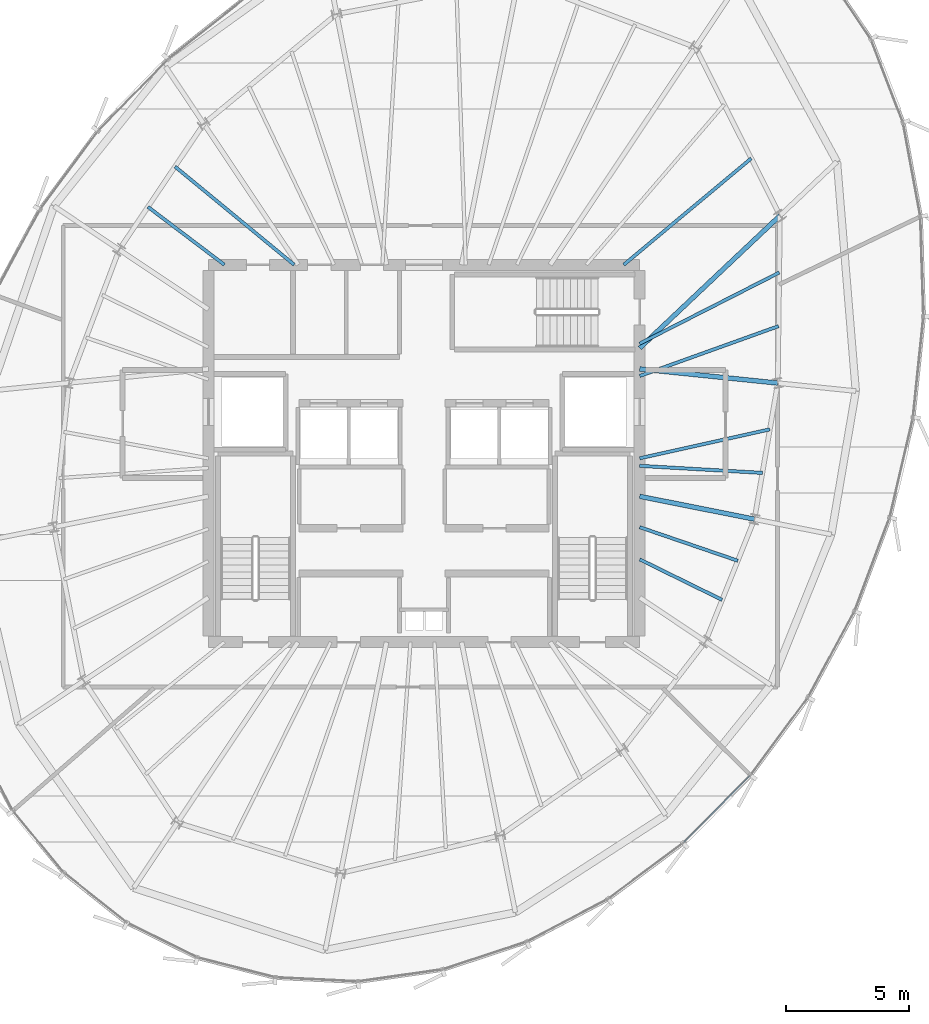
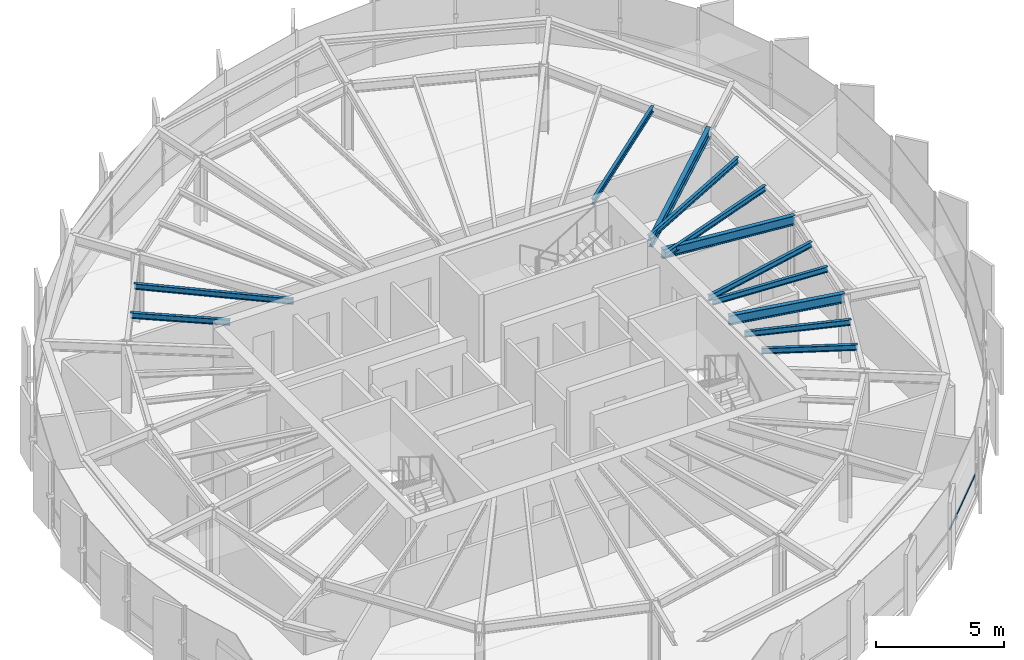
# One storey, part 12 of 33: 12 beams, 1 member, 1 element without a shape of its own.
"""IFC4 building model written with IfcOpenShell, lengths in metres."""

import ifcopenshell
import ifcopenshell.guid

model = None  # the IFC model being written
_history = None  # IfcOwnerHistory: only IFC2X3 demands one
_inside = {}  # id of a spatial element -> (the spatial element, [elements in it])
_under = {}  # id of a project, library or spatial element -> (it, [spatial elements below it])
_declared = {}  # id of a project -> (the project, [libraries it declares])
_typed = {}  # id of a type object -> (the type object, [elements of that type])
_made_of = {}  # id of a material, layer set ... -> (it, [elements and type objects made of it])


def new_model(schema):
    """Start an empty IFC model of exactly this schema.

    Asked for "IFC4X3", IfcOpenShell would pick the latest addendum, in which some entities
    have other attributes; the version numbers below select the first issue.
    IFC2X3 requires an IfcOwnerHistory on every rooted entity: one is made here for all.
    """
    global model, _history
    if schema == "IFC4X3":
        model = ifcopenshell.file(schema_version=(4, 3, 0, 0))
    else:
        model = ifcopenshell.file(schema=schema)
    _inside.clear()
    _under.clear()
    _declared.clear()
    _typed.clear()
    _made_of.clear()
    _history = None
    if model.schema == "IFC2X3":
        org = make("IfcOrganization", Name="unknown")
        user = make(
            "IfcPersonAndOrganization",
            ThePerson=make("IfcPerson", FamilyName="unknown"),
            TheOrganization=org,
        )
        app = make(
            "IfcApplication",
            ApplicationDeveloper=org,
            Version="unknown",
            ApplicationFullName="unknown",
            ApplicationIdentifier="unknown",
        )
        _history = make(
            "IfcOwnerHistory",
            OwningUser=user,
            OwningApplication=app,
            ChangeAction="ADDED",
            CreationDate=0,
        )
    return model


def make(cls, **values):
    """One entity of the class cls with the attributes given. An attribute that is None is left unset."""
    return model.create_entity(
        cls, **{name: value for name, value in values.items() if value is not None}
    )


def rooted(cls, **values):
    """An entity with a GlobalId (a new one), such as an element, a storey or a relation."""
    return make(cls, GlobalId=ifcopenshell.guid.new(), OwnerHistory=_history, **values)


def si_unit(unit_type, name, prefix=None):
    """IfcSIUnit, for example si_unit("LENGTHUNIT", "METRE", prefix="MILLI")."""
    return make("IfcSIUnit", UnitType=unit_type, Prefix=prefix, Name=name)


def assignment(units):
    """IfcUnitAssignment: the units of a project."""
    return None if units is None else make("IfcUnitAssignment", Units=units)


def point(xyz):
    """IfcCartesianPoint."""
    return None if xyz is None else make("IfcCartesianPoint", Coordinates=xyz)


def direction(xyz):
    """IfcDirection."""
    return None if xyz is None else make("IfcDirection", DirectionRatios=xyz)


def frame(location, z_axis=None, x_axis=None):
    """IfcAxis2Placement3D, a coordinate frame: its origin and axes. An axis left out is left unset."""
    return make(
        "IfcAxis2Placement3D",
        Location=point(location),
        Axis=direction(z_axis),
        RefDirection=direction(x_axis),
    )


def frame_2d(location, x_axis=None):
    """IfcAxis2Placement2D, a coordinate frame in the plane: its origin and x axis."""
    return make(
        "IfcAxis2Placement2D", Location=point(location), RefDirection=direction(x_axis)
    )


def origin():
    """The frame at (0, 0, 0) with its axes left unset."""
    return frame((0.0, 0.0, 0.0))


def origin_2d():
    """The frame at (0, 0) in the plane with its x axis left unset."""
    return frame_2d((0.0, 0.0))


def place(relative_to, where):
    """IfcLocalPlacement: puts the frame where relative to a parent placement (None: the world)."""
    return make(
        "IfcLocalPlacement", PlacementRelTo=relative_to, RelativePlacement=where
    )


def context(
    kind, dimensions, precision=None, world=None, true_north=None, identifier=None
):
    """IfcGeometricRepresentationContext, for example the 3D "Model" context."""
    return make(
        "IfcGeometricRepresentationContext",
        ContextIdentifier=identifier,
        ContextType=kind,
        CoordinateSpaceDimension=dimensions,
        Precision=precision,
        WorldCoordinateSystem=world,
        TrueNorth=true_north,
    )


def subcontext(parent, identifier, kind, view, scale=None):
    """IfcGeometricRepresentationSubContext, for example "Body" below "Model"."""
    return make(
        "IfcGeometricRepresentationSubContext",
        ContextIdentifier=identifier,
        ContextType=kind,
        ParentContext=parent,
        TargetScale=scale,
        TargetView=view,
    )


def project(units=None, contexts=None):
    """IfcProject with its units and contexts."""
    return rooted(
        "IfcProject",
        Name="project",
        RepresentationContexts=contexts,
        UnitsInContext=assignment(units),
    )


def spatial(cls, under=None, at=None, **own):
    """A site, building, storey or space (cls), placed at a placement, below another one or the project."""
    s = rooted(cls, ObjectPlacement=at, **own)
    if under is not None:
        _under.setdefault(under.id(), (under, []))[1].append(s)
    return s


def profile(cls, at=None, kind="AREA", **sizes):
    """A parametric profile (cls). Its sizes go by their IFC names, for example OverallWidth=200.0."""
    return make(cls, ProfileType=kind, Position=at, **sizes)


def hollow_rectangle(**sizes):
    """IfcRectangleHollowProfileDef."""
    return profile("IfcRectangleHollowProfileDef", **sizes)


def i_section(**sizes):
    """IfcIShapeProfileDef."""
    return profile("IfcIShapeProfileDef", **sizes)


def extrude(swept, where, along, depth):
    """IfcExtrudedAreaSolid: the profile swept, set in the frame where, extruded along a direction by depth."""
    return make(
        "IfcExtrudedAreaSolid",
        SweptArea=swept,
        Position=where,
        ExtrudedDirection=direction(along),
        Depth=depth,
    )


def shape(context_of_items, identifier, shape_type, items):
    """IfcShapeRepresentation: the items that make up one representation, for example the "Body"."""
    return make(
        "IfcShapeRepresentation",
        ContextOfItems=context_of_items,
        RepresentationIdentifier=identifier,
        RepresentationType=shape_type,
        Items=items,
    )


def source(mapping_origin, context_of_items, identifier, shape_type, items):
    """IfcRepresentationMap: a shape defined once, which mapped items show again and again."""
    return make(
        "IfcRepresentationMap",
        MappingOrigin=mapping_origin,
        MappedRepresentation=shape(context_of_items, identifier, shape_type, items),
    )


def transform(
    local_origin,
    x_axis=None,
    y_axis=None,
    z_axis=None,
    scale=None,
    scale2=None,
    scale3=None,
    uniform=True,
):
    """IfcCartesianTransformationOperator3D, or its non-uniform kind. x_axis, y_axis, z_axis: its Axis1, 2, 3."""
    if uniform:
        return make(
            "IfcCartesianTransformationOperator3D",
            Axis1=direction(x_axis),
            Axis2=direction(y_axis),
            LocalOrigin=point(local_origin),
            Scale=scale,
            Axis3=direction(z_axis),
        )
    return make(
        "IfcCartesianTransformationOperator3DnonUniform",
        Axis1=direction(x_axis),
        Axis2=direction(y_axis),
        LocalOrigin=point(local_origin),
        Scale=scale,
        Axis3=direction(z_axis),
        Scale2=scale2,
        Scale3=scale3,
    )


def mapped(mapping_source, mapping_target):
    """IfcMappedItem: shows the shape of a source again, moved by a transform."""
    return make(
        "IfcMappedItem", MappingSource=mapping_source, MappingTarget=mapping_target
    )


def material(Name=None, Category=None):
    """IfcMaterial."""
    return make("IfcMaterial", Name=Name, Category=Category)


def layer(
    of_material, thickness, ventilated=None, Name=None, Category=None, Priority=None
):
    """IfcMaterialLayer: one layer of a wall or slab, of a material (None: an air gap)."""
    return make(
        "IfcMaterialLayer",
        Material=of_material,
        LayerThickness=thickness,
        IsVentilated=ventilated,
        Name=Name,
        Category=Category,
        Priority=Priority,
    )


def layer_set(layers, Name=None):
    """IfcMaterialLayerSet."""
    return make("IfcMaterialLayerSet", MaterialLayers=layers, LayerSetName=Name)


def material_profile(
    of_material, cross_section, Name=None, Category=None, Priority=None
):
    """IfcMaterialProfile: a cross section and its material."""
    return make(
        "IfcMaterialProfile",
        Name=Name,
        Material=of_material,
        Profile=cross_section,
        Priority=Priority,
        Category=Category,
    )


def profile_set(profiles, Name=None, composite=None):
    """IfcMaterialProfileSet."""
    return make(
        "IfcMaterialProfileSet",
        Name=Name,
        MaterialProfiles=profiles,
        CompositeProfile=composite,
    )


def made_of(thing, what):
    """Note that an element or type object is made of a material, layer set ...; save() writes the relation."""
    if what is not None:
        _made_of.setdefault(what.id(), (what, []))[1].append(thing)
    return thing


def type_object(cls, material=None, **own):
    """A type object (cls), such as IfcWallType, which elements share."""
    return made_of(rooted(cls, **own), material)


def element(
    cls,
    number,
    at=None,
    inside=None,
    cuts=None,
    type_object=None,
    material=None,
    context=None,
    identifier="Body",
    shape_type=None,
    held_by="IfcProductDefinitionShape",
    body=None,
    shapes=None,
    **own,
):
    """One element of the class cls, such as IfcWall. Its Tag is "e" and its number.

    at: its placement. inside: the storey or other place that contains it. cuts: it is an
    opening in that element (IfcRelVoidsElement). A single representation is given by context,
    identifier, shape_type and body (its items); several are given by shapes. held_by: the class
    of the entity that holds the representations. save() writes the other relations.
    """
    e = rooted(cls, Tag="e%d" % number, ObjectPlacement=at, **own)
    if body is not None:
        shapes = [shape(context, identifier, shape_type, body)]
    if shapes is not None:
        e.Representation = make(held_by, Representations=shapes)
    if inside is not None:
        _inside.setdefault(inside.id(), (inside, []))[1].append(e)
    if cuts is not None:
        rooted(
            "IfcRelVoidsElement", RelatingBuildingElement=cuts, RelatedOpeningElement=e
        )
    if type_object is not None:
        _typed.setdefault(type_object.id(), (type_object, []))[1].append(e)
    return made_of(e, material)


def aggregate(whole, parts):
    """IfcRelAggregates: a whole, such as a stair, and the parts it consists of."""
    return rooted("IfcRelAggregates", RelatingObject=whole, RelatedObjects=parts)


def save(model, path):
    """Write the relations noted so far, then the file.

    IfcRelAggregates (storeys below a building ...), IfcRelContainedInSpatialStructure (elements
    in a storey), IfcRelDefinesByType, IfcRelAssociatesMaterial and IfcRelDeclares: one each for
    every whole, place, type object, material and project.
    """
    for whole, parts in _under.values():
        aggregate(whole, parts)
    for where, things in _inside.values():
        rooted(
            "IfcRelContainedInSpatialStructure",
            RelatedElements=things,
            RelatingStructure=where,
        )
    for kind, things in _typed.values():
        rooted("IfcRelDefinesByType", RelatedObjects=things, RelatingType=kind)
    for what, things in _made_of.values():
        rooted("IfcRelAssociatesMaterial", RelatedObjects=things, RelatingMaterial=what)
    for by, libraries in _declared.values():
        rooted("IfcRelDeclares", RelatingContext=by, RelatedDefinitions=libraries)
    model.write(path)


model = new_model("IFC4")

# Units and contexts
model_context = context("Model", 3, precision=1e-05, world=origin(), true_north=direction((0.0, 1.0)))
body_context = subcontext(model_context, "Body", "Model", "MODEL_VIEW")
ifc_project = project(units=[si_unit("LENGTHUNIT", "METRE"), si_unit("AREAUNIT", "SQUARE_METRE"), si_unit("VOLUMEUNIT", "CUBIC_METRE"), si_unit("PLANEANGLEUNIT", "RADIAN"), si_unit("MASSUNIT", "GRAM", prefix="KILO"), si_unit("THERMODYNAMICTEMPERATUREUNIT", "KELVIN")], contexts=[model_context])

# Site, building, storey
site_placement = place(None, origin())
site = spatial("IfcSite", under=ifc_project, at=site_placement, CompositionType="ELEMENT")
building_placement = place(site_placement, origin())
building = spatial("IfcBuilding", under=site, at=building_placement, Name="Kethvar Cultural Tower", CompositionType="ELEMENT")
storey_placement = place(building_placement, frame((0.0, 0.0, 266.35009765625)))
storey = spatial("IfcBuildingStorey", under=building, at=storey_placement, Name="L70", CompositionType="ELEMENT", Elevation=266.35009765625)

# Beams
ifc_material_1 = material(Name="Steel S355J2", Category="steel")
ifc_material_profile_1 = material_profile(ifc_material_1, i_section(OverallWidth=0.18994140625, OverallDepth=0.449951171875, WebThickness=0.009521484375, FlangeThickness=0.0146484375, FilletRadius=0.02099609375, at=origin_2d()), Name="Steel S355J2 — IPE450")
ifc_profile_set_1 = profile_set([ifc_material_profile_1], Name="Steel S355J2 — IPE450")
beam_type_1 = type_object("IfcBeamType", Name="BM-IPE450", PredefinedType="BEAM", material=ifc_profile_set_1)
shared_shape_1 = source(origin(), body_context, "Body", "SweptSolid", [
    extrude(i_section(OverallWidth=0.18994140625, OverallDepth=0.449951171875, WebThickness=0.009521484375, FlangeThickness=0.0146484375, FilletRadius=0.02099609375, at=origin_2d()), origin(), (0.0, 0.0, 1.0), 5.66650390625),
])
beam_1_placement = place(storey_placement, frame((55.60009765625, 31.25, 2.98291015625), z_axis=(0.994777513459, -0.102067128476, 0.0), x_axis=(0.102067128476, 0.994777513459, 0.0)))
element("IfcBeam", 1, at=beam_1_placement, inside=storey, type_object=beam_type_1, Name="L70 Primary Radial Beam RB-01", PredefinedType="BEAM", context=body_context, shape_type="MappedRepresentation", body=[
    mapped(shared_shape_1, transform((0.0, 0.0, 0.0), scale=1.0)),
])
shared_shape_2 = source(origin(), body_context, "Body", "SweptSolid", [
    extrude(i_section(OverallWidth=0.18994140625, OverallDepth=0.449951171875, WebThickness=0.009521484375, FlangeThickness=0.0146484375, FilletRadius=0.02099609375, at=origin_2d()), origin(), (0.0, 0.0, 1.0), 7.874267578125),
])
beam_2_placement = place(storey_placement, frame((55.60009765625, 32.10009765625, 2.98291015625), z_axis=(0.727123202456, 0.686506990823, 0.0), x_axis=(-0.686506990823, 0.727123202456, 0.0)))
element("IfcBeam", 2, at=beam_2_placement, inside=storey, type_object=beam_type_1, Name="L70 Primary Radial Beam RB-02", PredefinedType="BEAM", context=body_context, shape_type="MappedRepresentation", body=[
    mapped(shared_shape_2, transform((0.0, 0.0, 0.0), scale=1.0)),
])
shared_shape_3 = source(origin(), body_context, "Body", "SweptSolid", [
    extrude(i_section(OverallWidth=0.18994140625, OverallDepth=0.449951171875, WebThickness=0.009521484375, FlangeThickness=0.0146484375, FilletRadius=0.02099609375, at=origin_2d()), origin(), (0.0, 0.0, 1.0), 4.775390625),
])
beam_3_placement = place(storey_placement, frame((55.60009765625, 26.049560546875, 2.98291015625), z_axis=(0.980784643133, -0.195093525761, 0.0), x_axis=(0.195093525761, 0.980784643133, 0.0)))
element("IfcBeam", 3, at=beam_3_placement, inside=storey, type_object=beam_type_1, Name="L70 Primary Radial Beam RB-16", PredefinedType="BEAM", context=body_context, shape_type="MappedRepresentation", body=[
    mapped(shared_shape_3, transform((0.0, 0.0, 0.0), scale=1.0)),
])
ifc_material_profile_2 = material_profile(ifc_material_1, i_section(OverallWidth=0.135009765625, OverallDepth=0.27001953125, WebThickness=0.006591796875, FlangeThickness=0.01025390625, FilletRadius=0.014892578125, at=origin_2d()), Name="Steel S355J2 — IPE270")
ifc_profile_set_2 = profile_set([ifc_material_profile_2], Name="Steel S355J2 — IPE270")
beam_type_2 = type_object("IfcBeamType", Name="BM-J270", PredefinedType="JOIST", material=ifc_profile_set_2)
shared_shape_4 = source(origin(), body_context, "Body", "SweptSolid", [
    extrude(i_section(OverallWidth=0.135009765625, OverallDepth=0.27001953125, WebThickness=0.006591796875, FlangeThickness=0.01025390625, FilletRadius=0.014892578125, at=origin_2d()), origin(), (0.0, 0.0, 1.0), 6.021240234375),
])
beam_4_placement = place(storey_placement, frame((55.60009765625, 30.960205078125, 3.072998046875), z_axis=(0.94114970072, 0.337990001086, 0.0), x_axis=(-0.337990001086, 0.94114970072, 0.0)))
element("IfcBeam", 4, at=beam_4_placement, inside=storey, type_object=beam_type_2, Name="L70 Composite Floor Joist J-01A", PredefinedType="JOIST", context=body_context, shape_type="MappedRepresentation", body=[
    mapped(shared_shape_4, transform((0.0, 0.0, 0.0), scale=1.0)),
])
shared_shape_5 = source(origin(), body_context, "Body", "SweptSolid", [
    extrude(i_section(OverallWidth=0.135009765625, OverallDepth=0.27001953125, WebThickness=0.006591796875, FlangeThickness=0.01025390625, FilletRadius=0.014892578125, at=origin_2d()), origin(), (0.0, 0.0, 1.0), 6.3916015625),
])
beam_5_placement = place(storey_placement, frame((55.60009765625, 32.281494140625, 3.072998046875), z_axis=(0.891094874615, 0.453817060538, 0.0), x_axis=(-0.453817060538, 0.891094874615, 0.0)))
element("IfcBeam", 5, at=beam_5_placement, inside=storey, type_object=beam_type_2, Name="L70 Composite Floor Joist J-01B", PredefinedType="JOIST", context=body_context, shape_type="MappedRepresentation", body=[
    mapped(shared_shape_5, transform((0.0, 0.0, 0.0), scale=1.0)),
])
shared_shape_6 = source(origin(), body_context, "Body", "SweptSolid", [
    extrude(i_section(OverallWidth=0.135009765625, OverallDepth=0.27001953125, WebThickness=0.006591796875, FlangeThickness=0.01025390625, FilletRadius=0.014892578125, at=origin_2d()), origin(), (0.0, 0.0, 1.0), 6.776123046875),
])
beam_6_placement = place(storey_placement, frame((54.949951171875, 35.5, 3.072998046875), z_axis=(0.767801747857, 0.6406875026, 0.0), x_axis=(-0.6406875026, 0.767801747857, 0.0)))
element("IfcBeam", 6, at=beam_6_placement, inside=storey, type_object=beam_type_2, Name="L70 Composite Floor Joist J-02A", PredefinedType="JOIST", context=body_context, shape_type="MappedRepresentation", body=[
    mapped(shared_shape_6, transform((0.0, 0.0, 0.0), scale=1.0)),
])
shared_shape_7 = source(origin(), body_context, "Body", "SweptSolid", [
    extrude(i_section(OverallWidth=0.135009765625, OverallDepth=0.27001953125, WebThickness=0.006591796875, FlangeThickness=0.01025390625, FilletRadius=0.014892578125, at=origin_2d()), origin(), (0.0, 0.0, 1.0), 6.302978515625),
])
beam_7_placement = place(storey_placement, frame((41.5, 35.5, 3.072998046875), z_axis=(-0.771828477148, 0.635830796567, 0.0), x_axis=(-0.635830796567, -0.771828477148, 0.0)))
element("IfcBeam", 7, at=beam_7_placement, inside=storey, type_object=beam_type_2, Name="L70 Composite Floor Joist J-06A", PredefinedType="JOIST", context=body_context, shape_type="MappedRepresentation", body=[
    mapped(shared_shape_7, transform((0.0, 0.0, 0.0), scale=1.0)),
])
shared_shape_8 = source(origin(), body_context, "Body", "SweptSolid", [
    extrude(i_section(OverallWidth=0.135009765625, OverallDepth=0.27001953125, WebThickness=0.006591796875, FlangeThickness=0.01025390625, FilletRadius=0.014892578125, at=origin_2d()), origin(), (0.0, 0.0, 1.0), 3.91357421875),
])
beam_8_placement = place(storey_placement, frame((38.64990234375, 35.5, 3.072998046875), z_axis=(-0.797214062325, 0.603696727531, 0.0), x_axis=(-0.603696727531, -0.797214062325, 0.0)))
element("IfcBeam", 8, at=beam_8_placement, inside=storey, type_object=beam_type_2, Name="L70 Composite Floor Joist J-06B", PredefinedType="JOIST", context=body_context, shape_type="MappedRepresentation", body=[
    mapped(shared_shape_8, transform((0.0, 0.0, 0.0), scale=1.0)),
])
shared_shape_9 = source(origin(), body_context, "Body", "SweptSolid", [
    extrude(i_section(OverallWidth=0.135009765625, OverallDepth=0.27001953125, WebThickness=0.006591796875, FlangeThickness=0.01025390625, FilletRadius=0.014892578125, at=origin_2d()), origin(), (0.0, 0.0, 1.0), 3.75),
])
beam_9_placement = place(storey_placement, frame((55.60009765625, 23.476318359375, 3.072998046875), z_axis=(0.8975046019, -0.441005090184, 0.0), x_axis=(0.441005090184, 0.8975046019, 0.0)))
element("IfcBeam", 9, at=beam_9_placement, inside=storey, type_object=beam_type_2, Name="L70 Composite Floor Joist J-15A", PredefinedType="JOIST", context=body_context, shape_type="MappedRepresentation", body=[
    mapped(shared_shape_9, transform((0.0, 0.0, 0.0), scale=1.0)),
])
shared_shape_10 = source(origin(), body_context, "Body", "SweptSolid", [
    extrude(i_section(OverallWidth=0.135009765625, OverallDepth=0.27001953125, WebThickness=0.006591796875, FlangeThickness=0.01025390625, FilletRadius=0.014892578125, at=origin_2d()), origin(), (0.0, 0.0, 1.0), 4.232421875),
])
beam_10_placement = place(storey_placement, frame((55.60009765625, 24.7900390625, 3.072998046875), z_axis=(0.946173747357, -0.323659141402, 0.0), x_axis=(0.323659141402, 0.946173747357, 0.0)))
element("IfcBeam", 10, at=beam_10_placement, inside=storey, type_object=beam_type_2, Name="L70 Composite Floor Joist J-15B", PredefinedType="JOIST", context=body_context, shape_type="MappedRepresentation", body=[
    mapped(shared_shape_10, transform((0.0, 0.0, 0.0), scale=1.0)),
])
shared_shape_11 = source(origin(), body_context, "Body", "SweptSolid", [
    extrude(i_section(OverallWidth=0.135009765625, OverallDepth=0.27001953125, WebThickness=0.006591796875, FlangeThickness=0.01025390625, FilletRadius=0.014892578125, at=origin_2d()), origin(), (0.0, 0.0, 1.0), 5.01611328125),
])
beam_11_placement = place(storey_placement, frame((55.60009765625, 27.294189453125, 3.072998046875), z_axis=(0.998352190078, -0.057383835418, 0.0), x_axis=(0.057383835418, 0.998352190078, 0.0)))
element("IfcBeam", 11, at=beam_11_placement, inside=storey, type_object=beam_type_2, Name="L70 Composite Floor Joist J-16A", PredefinedType="JOIST", context=body_context, shape_type="MappedRepresentation", body=[
    mapped(shared_shape_11, transform((0.0, 0.0, 0.0), scale=1.0)),
])
shared_shape_12 = source(origin(), body_context, "Body", "SweptSolid", [
    extrude(i_section(OverallWidth=0.135009765625, OverallDepth=0.27001953125, WebThickness=0.006591796875, FlangeThickness=0.01025390625, FilletRadius=0.014892578125, at=origin_2d()), origin(), (0.0, 0.0, 1.0), 5.44287109375),
])
beam_12_placement = place(storey_placement, frame((55.60009765625, 27.60009765625, 3.072998046875), z_axis=(0.976080346759, 0.217410111702, 0.0), x_axis=(-0.217410111702, 0.976080346759, 0.0)))
element("IfcBeam", 12, at=beam_12_placement, inside=storey, type_object=beam_type_2, Name="L70 Composite Floor Joist J-16B", PredefinedType="JOIST", context=body_context, shape_type="MappedRepresentation", body=[
    mapped(shared_shape_12, transform((0.0, 0.0, 0.0), scale=1.0)),
])

# Curtain wall, member
ifc_material_2 = material(Name="Aluminium 6063-T6", Category="aluminium")
ifc_layer = layer(ifc_material_2, 0.179931640625, Name="Aluminium 6063-T6", Category="aluminium")
ifc_layer_set = layer_set([ifc_layer], Name="Aluminium 6063-T6 (180 mm)")
curtain_wall_type = type_object("IfcCurtainWallType", Name="CW-SYS-05-Z56", PredefinedType="NOTDEFINED", material=ifc_layer_set)
curtain_wall_placement = place(storey_placement, origin())
curtain_wall = element("IfcCurtainWall", 13, at=curtain_wall_placement, inside=storey, type_object=curtain_wall_type, Name="L70 Curtain Wall Run 05", PredefinedType="NOTDEFINED")
ifc_material_profile_3 = material_profile(ifc_material_2, hollow_rectangle(XDim=0.050048828125, YDim=0.10009765625, WallThickness=0.00390625, at=origin_2d()), Name="Aluminium 6063-T6 — RHS100x50x4")
ifc_profile_set_3 = profile_set([ifc_material_profile_3], Name="Aluminium 6063-T6 — RHS100x50x4")
member_type = type_object("IfcMemberType", Name="CW-SYS-05-Z56-TRN", PredefinedType="USERDEFINED", material=ifc_profile_set_3)
shared_shape_13 = source(origin(), body_context, "Body", "SweptSolid", [
    extrude(hollow_rectangle(XDim=0.050048828125, YDim=0.10009765625, WallThickness=0.00390625, at=origin_2d()), origin(), (0.0, 0.0, 1.0), 3.845703125),
])
member_placement = place(storey_placement, frame((57.393798828125, 11.9248046875, 0.949951171875), z_axis=(0.704467341937, 0.709736404691, 0.0), x_axis=(-0.709736404691, 0.704467341937, 0.0)))
member = element("IfcMember", 14, at=member_placement, type_object=member_type, Name="CW-L70-R05 Transom 2", ObjectType="TRANSOM", PredefinedType="USERDEFINED", context=body_context, shape_type="MappedRepresentation", body=[
    mapped(shared_shape_13, transform((0.0, 0.0, 0.0), scale=1.0)),
])
aggregate(curtain_wall, [member])

save(model, "model.ifc")
